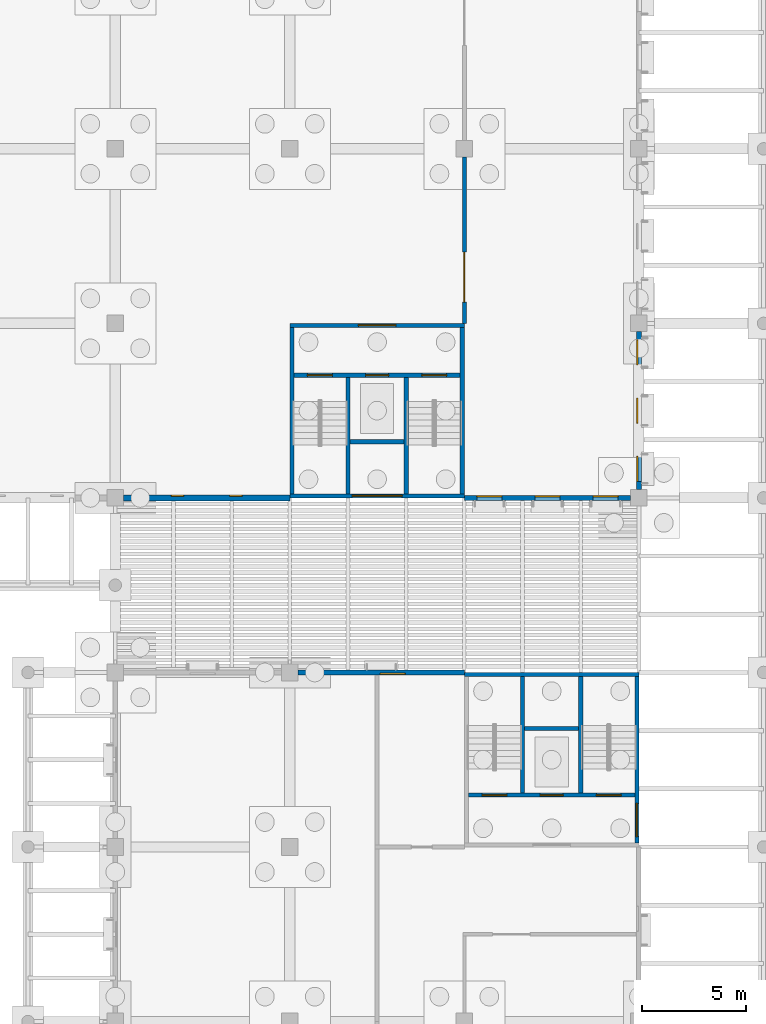
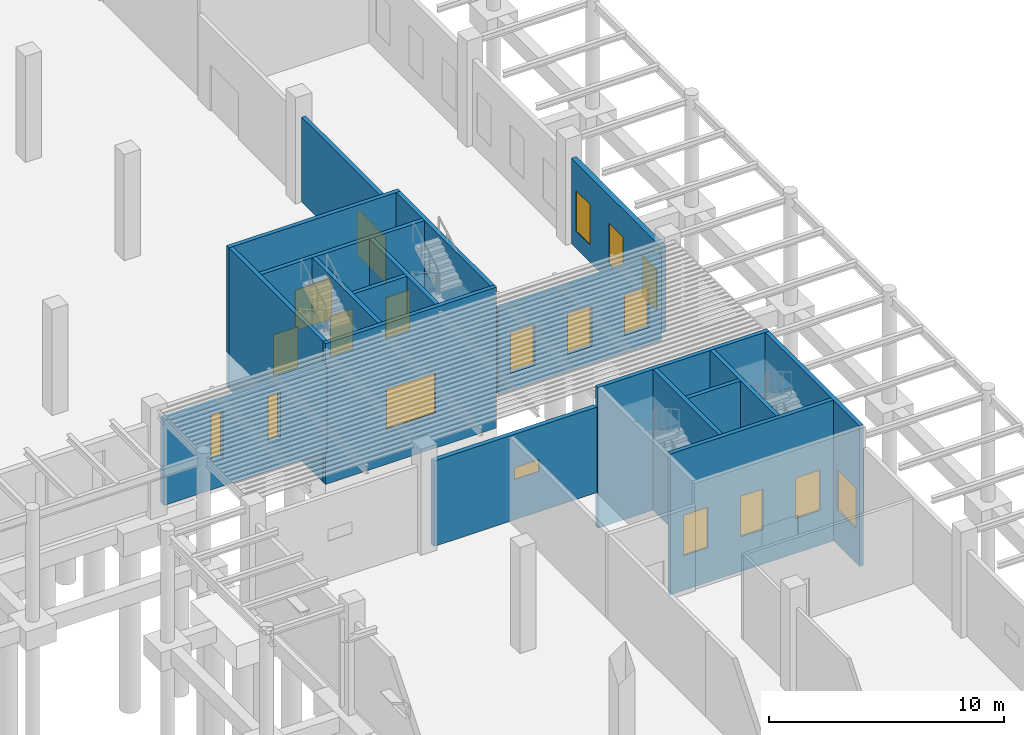
# One storey, part 41 of 82: 19 walls, 10 doors, 9 windows, 19 openings.
"""IFC4 building model written with IfcOpenShell, lengths in metres."""

import ifcopenshell
import ifcopenshell.guid

model = None  # the IFC model being written
_history = None  # IfcOwnerHistory: only IFC2X3 demands one
_inside = {}  # id of a spatial element -> (the spatial element, [elements in it])
_under = {}  # id of a project, library or spatial element -> (it, [spatial elements below it])
_declared = {}  # id of a project -> (the project, [libraries it declares])
_typed = {}  # id of a type object -> (the type object, [elements of that type])
_made_of = {}  # id of a material, layer set ... -> (it, [elements and type objects made of it])


def new_model(schema):
    """Start an empty IFC model of exactly this schema.

    Asked for "IFC4X3", IfcOpenShell would pick the latest addendum, in which some entities
    have other attributes; the version numbers below select the first issue.
    IFC2X3 requires an IfcOwnerHistory on every rooted entity: one is made here for all.
    """
    global model, _history
    if schema == "IFC4X3":
        model = ifcopenshell.file(schema_version=(4, 3, 0, 0))
    else:
        model = ifcopenshell.file(schema=schema)
    _inside.clear()
    _under.clear()
    _declared.clear()
    _typed.clear()
    _made_of.clear()
    _history = None
    if model.schema == "IFC2X3":
        org = make("IfcOrganization", Name="unknown")
        user = make(
            "IfcPersonAndOrganization",
            ThePerson=make("IfcPerson", FamilyName="unknown"),
            TheOrganization=org,
        )
        app = make(
            "IfcApplication",
            ApplicationDeveloper=org,
            Version="unknown",
            ApplicationFullName="unknown",
            ApplicationIdentifier="unknown",
        )
        _history = make(
            "IfcOwnerHistory",
            OwningUser=user,
            OwningApplication=app,
            ChangeAction="ADDED",
            CreationDate=0,
        )
    return model


def make(cls, **values):
    """One entity of the class cls with the attributes given. An attribute that is None is left unset."""
    return model.create_entity(
        cls, **{name: value for name, value in values.items() if value is not None}
    )


def rooted(cls, **values):
    """An entity with a GlobalId (a new one), such as an element, a storey or a relation."""
    return make(cls, GlobalId=ifcopenshell.guid.new(), OwnerHistory=_history, **values)


def si_unit(unit_type, name, prefix=None):
    """IfcSIUnit, for example si_unit("LENGTHUNIT", "METRE", prefix="MILLI")."""
    return make("IfcSIUnit", UnitType=unit_type, Prefix=prefix, Name=name)


def assignment(units):
    """IfcUnitAssignment: the units of a project."""
    return None if units is None else make("IfcUnitAssignment", Units=units)


def point(xyz):
    """IfcCartesianPoint."""
    return None if xyz is None else make("IfcCartesianPoint", Coordinates=xyz)


def direction(xyz):
    """IfcDirection."""
    return None if xyz is None else make("IfcDirection", DirectionRatios=xyz)


def frame(location, z_axis=None, x_axis=None):
    """IfcAxis2Placement3D, a coordinate frame: its origin and axes. An axis left out is left unset."""
    return make(
        "IfcAxis2Placement3D",
        Location=point(location),
        Axis=direction(z_axis),
        RefDirection=direction(x_axis),
    )


def frame_2d(location, x_axis=None):
    """IfcAxis2Placement2D, a coordinate frame in the plane: its origin and x axis."""
    return make(
        "IfcAxis2Placement2D", Location=point(location), RefDirection=direction(x_axis)
    )


def origin():
    """The frame at (0, 0, 0) with its axes left unset."""
    return frame((0.0, 0.0, 0.0))


def place(relative_to, where):
    """IfcLocalPlacement: puts the frame where relative to a parent placement (None: the world)."""
    return make(
        "IfcLocalPlacement", PlacementRelTo=relative_to, RelativePlacement=where
    )


def context(
    kind, dimensions, precision=None, world=None, true_north=None, identifier=None
):
    """IfcGeometricRepresentationContext, for example the 3D "Model" context."""
    return make(
        "IfcGeometricRepresentationContext",
        ContextIdentifier=identifier,
        ContextType=kind,
        CoordinateSpaceDimension=dimensions,
        Precision=precision,
        WorldCoordinateSystem=world,
        TrueNorth=true_north,
    )


def subcontext(parent, identifier, kind, view, scale=None):
    """IfcGeometricRepresentationSubContext, for example "Body" below "Model"."""
    return make(
        "IfcGeometricRepresentationSubContext",
        ContextIdentifier=identifier,
        ContextType=kind,
        ParentContext=parent,
        TargetScale=scale,
        TargetView=view,
    )


def project(units=None, contexts=None):
    """IfcProject with its units and contexts."""
    return rooted(
        "IfcProject",
        Name="project",
        RepresentationContexts=contexts,
        UnitsInContext=assignment(units),
    )


def spatial(cls, under=None, at=None, **own):
    """A site, building, storey or space (cls), placed at a placement, below another one or the project."""
    s = rooted(cls, ObjectPlacement=at, **own)
    if under is not None:
        _under.setdefault(under.id(), (under, []))[1].append(s)
    return s


def profile(cls, at=None, kind="AREA", **sizes):
    """A parametric profile (cls). Its sizes go by their IFC names, for example OverallWidth=200.0."""
    return make(cls, ProfileType=kind, Position=at, **sizes)


def rectangle(**sizes):
    """IfcRectangleProfileDef."""
    return profile("IfcRectangleProfileDef", **sizes)


def extrude(swept, where, along, depth):
    """IfcExtrudedAreaSolid: the profile swept, set in the frame where, extruded along a direction by depth."""
    return make(
        "IfcExtrudedAreaSolid",
        SweptArea=swept,
        Position=where,
        ExtrudedDirection=direction(along),
        Depth=depth,
    )


def shape(context_of_items, identifier, shape_type, items):
    """IfcShapeRepresentation: the items that make up one representation, for example the "Body"."""
    return make(
        "IfcShapeRepresentation",
        ContextOfItems=context_of_items,
        RepresentationIdentifier=identifier,
        RepresentationType=shape_type,
        Items=items,
    )


def material(Name=None, Category=None):
    """IfcMaterial."""
    return make("IfcMaterial", Name=Name, Category=Category)


def layer(
    of_material, thickness, ventilated=None, Name=None, Category=None, Priority=None
):
    """IfcMaterialLayer: one layer of a wall or slab, of a material (None: an air gap)."""
    return make(
        "IfcMaterialLayer",
        Material=of_material,
        LayerThickness=thickness,
        IsVentilated=ventilated,
        Name=Name,
        Category=Category,
        Priority=Priority,
    )


def layer_set(layers, Name=None):
    """IfcMaterialLayerSet."""
    return make("IfcMaterialLayerSet", MaterialLayers=layers, LayerSetName=Name)


def made_of(thing, what):
    """Note that an element or type object is made of a material, layer set ...; save() writes the relation."""
    if what is not None:
        _made_of.setdefault(what.id(), (what, []))[1].append(thing)
    return thing


def type_object(cls, material=None, **own):
    """A type object (cls), such as IfcWallType, which elements share."""
    return made_of(rooted(cls, **own), material)


def element(
    cls,
    number,
    at=None,
    inside=None,
    cuts=None,
    type_object=None,
    material=None,
    context=None,
    identifier="Body",
    shape_type=None,
    held_by="IfcProductDefinitionShape",
    body=None,
    shapes=None,
    **own,
):
    """One element of the class cls, such as IfcWall. Its Tag is "e" and its number.

    at: its placement. inside: the storey or other place that contains it. cuts: it is an
    opening in that element (IfcRelVoidsElement). A single representation is given by context,
    identifier, shape_type and body (its items); several are given by shapes. held_by: the class
    of the entity that holds the representations. save() writes the other relations.
    """
    e = rooted(cls, Tag="e%d" % number, ObjectPlacement=at, **own)
    if body is not None:
        shapes = [shape(context, identifier, shape_type, body)]
    if shapes is not None:
        e.Representation = make(held_by, Representations=shapes)
    if inside is not None:
        _inside.setdefault(inside.id(), (inside, []))[1].append(e)
    if cuts is not None:
        rooted(
            "IfcRelVoidsElement", RelatingBuildingElement=cuts, RelatedOpeningElement=e
        )
    if type_object is not None:
        _typed.setdefault(type_object.id(), (type_object, []))[1].append(e)
    return made_of(e, material)


def fill(opening, filler):
    """IfcRelFillsElement: the door or window that sits in an opening."""
    return rooted(
        "IfcRelFillsElement",
        RelatingOpeningElement=opening,
        RelatedBuildingElement=filler,
    )


def aggregate(whole, parts):
    """IfcRelAggregates: a whole, such as a stair, and the parts it consists of."""
    return rooted("IfcRelAggregates", RelatingObject=whole, RelatedObjects=parts)


def save(model, path):
    """Write the relations noted so far, then the file.

    IfcRelAggregates (storeys below a building ...), IfcRelContainedInSpatialStructure (elements
    in a storey), IfcRelDefinesByType, IfcRelAssociatesMaterial and IfcRelDeclares: one each for
    every whole, place, type object, material and project.
    """
    for whole, parts in _under.values():
        aggregate(whole, parts)
    for where, things in _inside.values():
        rooted(
            "IfcRelContainedInSpatialStructure",
            RelatedElements=things,
            RelatingStructure=where,
        )
    for kind, things in _typed.values():
        rooted("IfcRelDefinesByType", RelatedObjects=things, RelatingType=kind)
    for what, things in _made_of.values():
        rooted("IfcRelAssociatesMaterial", RelatedObjects=things, RelatingMaterial=what)
    for by, libraries in _declared.values():
        rooted("IfcRelDeclares", RelatingContext=by, RelatedDefinitions=libraries)
    model.write(path)


model = new_model("IFC4")

# Units and contexts
model_context = context("Model", 3, precision=1e-05, world=origin(), true_north=direction((0.0, 1.0)))
body_context = subcontext(model_context, "Body", "Model", "MODEL_VIEW")
ifc_project = project(units=[si_unit("LENGTHUNIT", "METRE"), si_unit("AREAUNIT", "SQUARE_METRE"), si_unit("VOLUMEUNIT", "CUBIC_METRE"), si_unit("PLANEANGLEUNIT", "RADIAN"), si_unit("MASSUNIT", "GRAM", prefix="KILO")], contexts=[model_context])

# Site, building, storey
site_placement = place(None, origin())
site = spatial("IfcSite", under=ifc_project, at=site_placement, CompositionType="ELEMENT")
building_placement = place(site_placement, origin())
building = spatial("IfcBuilding", under=site, at=building_placement, Name="Almond Square Museum", CompositionType="ELEMENT")
storey_placement = place(building_placement, origin())
storey = spatial("IfcBuildingStorey", under=building, at=storey_placement, Name="L00", CompositionType="ELEMENT", Elevation=0.0)

# Wall, openings, windows
ifc_material_1 = material(Name="Concrete C30/37", Category="concrete")
ifc_layer_1 = layer(ifc_material_1, 0.300048828125)
ifc_layer_set_1 = layer_set([ifc_layer_1], Name="Concrete C30/37")
wall_type_1 = type_object("IfcWallType", Name="Cast concrete wall 300 C30/37 behind louvre skin", PredefinedType="SOLIDWALL", material=ifc_layer_set_1)
wall_1_placement = place(storey_placement, frame((132.39990234375, 50.39990234375, 0.0), z_axis=(0.0, 0.0, 1.0), x_axis=(1.0, 0.0, 0.0)))
wall_1 = element("IfcWall", 1, at=wall_1_placement, inside=storey, type_object=wall_type_1, Name="External wall W1 V1 L00 S03", PredefinedType="SOLIDWALL", context=body_context, shape_type="SweptSolid", body=[
    extrude(rectangle(XDim=8.0, YDim=0.300048828125, at=frame_2d((4.0, 0.0))), origin(), (0.0, 0.0, 1.0), 4.43994140625),
])
opening_1_placement = place(wall_1_placement, frame((2.300048828125, 0.0, 1.5)))
opening_1 = element("IfcOpeningElement", 2, at=opening_1_placement, cuts=wall_1, Name="Opening W0065", PredefinedType="OPENING", context=body_context, shape_type="SweptSolid", body=[
    extrude(rectangle(XDim=0.60009765625, YDim=2.39990234375, at=frame_2d((0.300048828125, 1.199951171875))), frame((0.0, 0.159912109375, 0.0), z_axis=(0.0, -1.0, 0.0), x_axis=(1.0, 0.0, 0.0)), (0.0, 0.0, 1.0), 0.320068359375),
])
opening_2_placement = place(wall_1_placement, frame((5.10009765625, 0.0, 1.5)))
opening_2 = element("IfcOpeningElement", 3, at=opening_2_placement, cuts=wall_1, Name="Opening W0066", PredefinedType="OPENING", context=body_context, shape_type="SweptSolid", body=[
    extrude(rectangle(XDim=0.60009765625, YDim=2.39990234375, at=frame_2d((0.300048828125, 1.199951171875))), frame((0.0, 0.159912109375, 0.0), z_axis=(0.0, -1.0, 0.0), x_axis=(1.0, 0.0, 0.0)), (0.0, 0.0, 1.0), 0.320068359375),
])
ifc_material_2 = material(Name="Anodised aluminium louvre and laminated glass", Category="aluminium")
window_type_1 = type_object("IfcWindowType", Name="Slot window with storm louvre", PartitioningType="SINGLE_PANEL", PredefinedType="WINDOW", material=ifc_material_2)
window_1_placement = place(opening_1_placement, origin())
window_1 = element("IfcWindow", 4, at=window_1_placement, inside=storey, type_object=window_type_1, Name="Slot window with storm louvre W0065", OverallHeight=2.39990234375, OverallWidth=0.60009765625, PartitioningType="SINGLE_PANEL", PredefinedType="WINDOW", context=body_context, shape_type="SweptSolid", body=[
    extrude(rectangle(XDim=0.60009765625, YDim=2.39990234375, at=frame_2d((0.300048828125, 1.199951171875))), frame((0.0, 0.130126953125, 0.0), z_axis=(0.0, -1.0, 0.0), x_axis=(1.0, 0.0, 0.0)), (0.0, 0.0, 1.0), 0.06005859375),
])
fill(opening_1, window_1)
window_2_placement = place(opening_2_placement, origin())
window_2 = element("IfcWindow", 5, at=window_2_placement, inside=storey, type_object=window_type_1, Name="Slot window with storm louvre W0066", OverallHeight=2.39990234375, OverallWidth=0.60009765625, PartitioningType="SINGLE_PANEL", PredefinedType="WINDOW", context=body_context, shape_type="SweptSolid", body=[
    extrude(rectangle(XDim=0.60009765625, YDim=2.39990234375, at=frame_2d((0.300048828125, 1.199951171875))), frame((0.0, 0.130126953125, 0.0), z_axis=(0.0, -1.0, 0.0), x_axis=(1.0, 0.0, 0.0)), (0.0, 0.0, 1.0), 0.06005859375),
])
fill(opening_2, window_2)

# Wall, opening, door
ifc_material_3 = material(Name="Painted gypsum board on steel stud", Category="steel")
ifc_layer_2 = layer(ifc_material_3, 0.199951171875)
ifc_layer_set_2 = layer_set([ifc_layer_2], Name="Painted gypsum board on steel stud")
wall_type_2 = type_object("IfcWallType", Name="Gallery wall 200 painted board on stud", PredefinedType="PARTITIONING", material=ifc_layer_set_2)
wall_2_placement = place(storey_placement, frame((148.800048828125, 58.800048828125, 0.0), z_axis=(0.0, 0.0, 1.0), x_axis=(0.0, 1.0, 0.0)))
wall_2 = element("IfcWall", 6, at=wall_2_placement, inside=storey, type_object=wall_type_2, Name="L00 partition 36", PredefinedType="PARTITIONING", context=body_context, shape_type="SweptSolid", body=[
    extrude(rectangle(XDim=8.0, YDim=0.199951171875, at=frame_2d((4.0, 0.0))), origin(), (0.0, 0.0, 1.0), 4.39990234375),
])
opening_3_placement = place(wall_2_placement, frame((1.02490234375, 0.0, 0.0)))
opening_3 = element("IfcOpeningElement", 7, at=opening_3_placement, cuts=wall_2, Name="Opening D0151", PredefinedType="OPENING", context=body_context, shape_type="SweptSolid", body=[
    extrude(rectangle(XDim=2.39990234375, YDim=2.39990234375, at=frame_2d((1.199951171875, 1.199951171875))), frame((0.0, 0.10986328125, 0.0), z_axis=(0.0, -1.0, 0.0), x_axis=(1.0, 0.0, 0.0)), (0.0, 0.0, 1.0), 0.219970703125),
])
ifc_material_4 = material(Name="Timber", Category="wood")
door_type_1 = type_object("IfcDoorType", Name="Gallery door 2400 x 2400 timber double", OperationType="NOTDEFINED", PredefinedType="DOOR", material=ifc_material_4)
door_1_placement = place(opening_3_placement, origin())
door_1 = element("IfcDoor", 8, at=door_1_placement, inside=storey, type_object=door_type_1, Name="L00 door Orientation Gallery to Print Gallery 2", OperationType="DOUBLE_DOOR_SINGLE_SWING", OverallHeight=2.39990234375, OverallWidth=2.39990234375, PredefinedType="DOOR", context=body_context, shape_type="SweptSolid", body=[
    extrude(rectangle(XDim=2.39990234375, YDim=2.39990234375, at=frame_2d((1.199951171875, 1.199951171875))), frame((0.0, 0.02490234375, 0.0), z_axis=(0.0, -1.0, 0.0), x_axis=(1.0, 0.0, 0.0)), (0.0, 0.0, 1.0), 0.050048828125),
])
fill(opening_3, door_1)

# Wall, openings, windows
ifc_material_5 = material(Name="Precast concrete C40/50", Category="concrete")
ifc_layer_3 = layer(ifc_material_5, 0.25)
ifc_layer_set_3 = layer_set([ifc_layer_3], Name="Precast concrete C40/50")
wall_type_3 = type_object("IfcWallType", Name="Precast concrete panel wall 250 with coral limestone piers", PredefinedType="SOLIDWALL", material=ifc_layer_set_3)
wall_3_placement = place(storey_placement, frame((148.800048828125, 50.39990234375, 0.0), z_axis=(0.0, 0.0, 1.0), x_axis=(1.0, 0.0, 0.0)))
wall_3 = element("IfcWall", 9, at=wall_3_placement, inside=storey, type_object=wall_type_3, Name="External wall W2 V4E L00 S01", PredefinedType="SOLIDWALL", context=body_context, shape_type="SweptSolid", body=[
    extrude(rectangle(XDim=8.0, YDim=0.25, at=frame_2d((4.0, 0.0))), origin(), (0.0, 0.0, 1.0), 4.43994140625),
])
opening_4_placement = place(wall_3_placement, frame((0.60009765625, 0.0, 0.89990234375)))
opening_4 = element("IfcOpeningElement", 10, at=opening_4_placement, cuts=wall_3, Name="Opening W0067", PredefinedType="OPENING", context=body_context, shape_type="SweptSolid", body=[
    extrude(rectangle(XDim=1.199951171875, YDim=2.10009765625, at=frame_2d((0.60009765625, 1.050048828125))), frame((0.0, 0.135009765625, 0.0), z_axis=(0.0, -1.0, 0.0), x_axis=(1.0, 0.0, 0.0)), (0.0, 0.0, 1.0), 0.27001953125),
])
opening_5_placement = place(wall_3_placement, frame((3.39990234375, 0.0, 0.89990234375)))
opening_5 = element("IfcOpeningElement", 11, at=opening_5_placement, cuts=wall_3, Name="Opening W0068", PredefinedType="OPENING", context=body_context, shape_type="SweptSolid", body=[
    extrude(rectangle(XDim=1.199951171875, YDim=2.10009765625, at=frame_2d((0.60009765625, 1.050048828125))), frame((0.0, 0.135009765625, 0.0), z_axis=(0.0, -1.0, 0.0), x_axis=(1.0, 0.0, 0.0)), (0.0, 0.0, 1.0), 0.27001953125),
])
opening_6_placement = place(wall_3_placement, frame((6.199951171875, 0.0, 0.89990234375)))
opening_6 = element("IfcOpeningElement", 12, at=opening_6_placement, cuts=wall_3, Name="Opening W0069", PredefinedType="OPENING", context=body_context, shape_type="SweptSolid", body=[
    extrude(rectangle(XDim=1.199951171875, YDim=2.10009765625, at=frame_2d((0.60009765625, 1.050048828125))), frame((0.0, 0.135009765625, 0.0), z_axis=(0.0, -1.0, 0.0), x_axis=(1.0, 0.0, 0.0)), (0.0, 0.0, 1.0), 0.27001953125),
])
ifc_material_6 = material(Name="Anodised aluminium louvre and laminated glass", Category="aluminium")
window_type_2 = type_object("IfcWindowType", Name="Louvred pier window", PartitioningType="SINGLE_PANEL", PredefinedType="WINDOW", material=ifc_material_6)
window_3_placement = place(opening_4_placement, origin())
window_3 = element("IfcWindow", 13, at=window_3_placement, inside=storey, type_object=window_type_2, Name="Louvred pier window W0067", OverallHeight=2.10009765625, OverallWidth=1.199951171875, PartitioningType="SINGLE_PANEL", PredefinedType="WINDOW", context=body_context, shape_type="SweptSolid", body=[
    extrude(rectangle(XDim=1.199951171875, YDim=2.10009765625, at=frame_2d((0.60009765625, 1.050048828125))), frame((0.0, 0.10498046875, 0.0), z_axis=(0.0, -1.0, 0.0), x_axis=(1.0, 0.0, 0.0)), (0.0, 0.0, 1.0), 0.06005859375),
])
fill(opening_4, window_3)
window_4_placement = place(opening_5_placement, origin())
window_4 = element("IfcWindow", 14, at=window_4_placement, inside=storey, type_object=window_type_2, Name="Louvred pier window W0068", OverallHeight=2.10009765625, OverallWidth=1.199951171875, PartitioningType="SINGLE_PANEL", PredefinedType="WINDOW", context=body_context, shape_type="SweptSolid", body=[
    extrude(rectangle(XDim=1.199951171875, YDim=2.10009765625, at=frame_2d((0.60009765625, 1.050048828125))), frame((0.0, 0.10498046875, 0.0), z_axis=(0.0, -1.0, 0.0), x_axis=(1.0, 0.0, 0.0)), (0.0, 0.0, 1.0), 0.06005859375),
])
fill(opening_5, window_4)
window_5_placement = place(opening_6_placement, origin())
window_5 = element("IfcWindow", 15, at=window_5_placement, inside=storey, type_object=window_type_2, Name="Louvred pier window W0069", OverallHeight=2.10009765625, OverallWidth=1.199951171875, PartitioningType="SINGLE_PANEL", PredefinedType="WINDOW", context=body_context, shape_type="SweptSolid", body=[
    extrude(rectangle(XDim=1.199951171875, YDim=2.10009765625, at=frame_2d((0.60009765625, 1.050048828125))), frame((0.0, 0.10498046875, 0.0), z_axis=(0.0, -1.0, 0.0), x_axis=(1.0, 0.0, 0.0)), (0.0, 0.0, 1.0), 0.06005859375),
])
fill(opening_6, window_5)

wall_4_placement = place(storey_placement, frame((157.199951171875, 50.800048828125, 0.0), z_axis=(0.0, 0.0, 1.0), x_axis=(0.0, 1.0, 0.0)))
wall_4 = element("IfcWall", 16, at=wall_4_placement, inside=storey, type_object=wall_type_3, Name="External wall W2 V4E L00 E01", PredefinedType="SOLIDWALL", context=body_context, shape_type="SweptSolid", body=[
    extrude(rectangle(XDim=7.599853515625, YDim=0.25, at=frame_2d((3.7998046875, 0.0))), origin(), (0.0, 0.0, 1.0), 4.43994140625),
])
opening_7_placement = place(wall_4_placement, frame((0.39990234375, 0.0, 0.89990234375)))
opening_7 = element("IfcOpeningElement", 17, at=opening_7_placement, cuts=wall_4, Name="Opening W0070", PredefinedType="OPENING", context=body_context, shape_type="SweptSolid", body=[
    extrude(rectangle(XDim=1.199951171875, YDim=2.10009765625, at=frame_2d((0.60009765625, 1.050048828125))), frame((0.0, 0.135009765625, 0.0), z_axis=(0.0, -1.0, 0.0), x_axis=(1.0, 0.0, 0.0)), (0.0, 0.0, 1.0), 0.27001953125),
])
opening_8_placement = place(wall_4_placement, frame((3.199951171875, 0.0, 0.89990234375)))
opening_8 = element("IfcOpeningElement", 18, at=opening_8_placement, cuts=wall_4, Name="Opening W0071", PredefinedType="OPENING", context=body_context, shape_type="SweptSolid", body=[
    extrude(rectangle(XDim=1.199951171875, YDim=2.10009765625, at=frame_2d((0.60009765625, 1.050048828125))), frame((0.0, 0.135009765625, 0.0), z_axis=(0.0, -1.0, 0.0), x_axis=(1.0, 0.0, 0.0)), (0.0, 0.0, 1.0), 0.27001953125),
])
opening_9_placement = place(wall_4_placement, frame((6.0, 0.0, 0.89990234375)))
opening_9 = element("IfcOpeningElement", 19, at=opening_9_placement, cuts=wall_4, Name="Opening W0072", PredefinedType="OPENING", context=body_context, shape_type="SweptSolid", body=[
    extrude(rectangle(XDim=1.199951171875, YDim=2.10009765625, at=frame_2d((0.60009765625, 1.050048828125))), frame((0.0, 0.135009765625, 0.0), z_axis=(0.0, -1.0, 0.0), x_axis=(1.0, 0.0, 0.0)), (0.0, 0.0, 1.0), 0.27001953125),
])
window_6_placement = place(opening_7_placement, origin())
window_6 = element("IfcWindow", 20, at=window_6_placement, inside=storey, type_object=window_type_2, Name="Louvred pier window W0070", OverallHeight=2.10009765625, OverallWidth=1.199951171875, PartitioningType="SINGLE_PANEL", PredefinedType="WINDOW", context=body_context, shape_type="SweptSolid", body=[
    extrude(rectangle(XDim=1.199951171875, YDim=2.10009765625, at=frame_2d((0.60009765625, 1.050048828125))), frame((0.0, 0.10498046875, 0.0), z_axis=(0.0, -1.0, 0.0), x_axis=(1.0, 0.0, 0.0)), (0.0, 0.0, 1.0), 0.06005859375),
])
fill(opening_7, window_6)
window_7_placement = place(opening_8_placement, origin())
window_7 = element("IfcWindow", 21, at=window_7_placement, inside=storey, type_object=window_type_2, Name="Louvred pier window W0071", OverallHeight=2.10009765625, OverallWidth=1.199951171875, PartitioningType="SINGLE_PANEL", PredefinedType="WINDOW", context=body_context, shape_type="SweptSolid", body=[
    extrude(rectangle(XDim=1.199951171875, YDim=2.10009765625, at=frame_2d((0.60009765625, 1.050048828125))), frame((0.0, 0.10498046875, 0.0), z_axis=(0.0, -1.0, 0.0), x_axis=(1.0, 0.0, 0.0)), (0.0, 0.0, 1.0), 0.06005859375),
])
fill(opening_8, window_7)
window_8_placement = place(opening_9_placement, origin())
window_8 = element("IfcWindow", 22, at=window_8_placement, inside=storey, type_object=window_type_2, Name="Louvred pier window W0072", OverallHeight=2.10009765625, OverallWidth=1.199951171875, PartitioningType="SINGLE_PANEL", PredefinedType="WINDOW", context=body_context, shape_type="SweptSolid", body=[
    extrude(rectangle(XDim=1.199951171875, YDim=2.10009765625, at=frame_2d((0.60009765625, 1.050048828125))), frame((0.0, 0.10498046875, 0.0), z_axis=(0.0, -1.0, 0.0), x_axis=(1.0, 0.0, 0.0)), (0.0, 0.0, 1.0), 0.06005859375),
])
fill(opening_9, window_8)

# Wall, opening, door
ifc_material_7 = material(Name="Concrete C40/50", Category="concrete")
ifc_layer_4 = layer(ifc_material_7, 0.199951171875)
ifc_layer_set_4 = layer_set([ifc_layer_4], Name="Concrete C40/50")
wall_type_4 = type_object("IfcWallType", Name="RC shear wall 200 C40/50", PredefinedType="SHEAR", material=ifc_layer_set_4)
wall_5_placement = place(storey_placement, frame((148.800048828125, 50.5, -1.800048828125), z_axis=(0.0, 0.0, 1.0), x_axis=(-1.0, 0.0, 0.0)))
wall_5 = element("IfcWall", 23, at=wall_5_placement, inside=storey, type_object=wall_type_4, Name="Core H2 south wall L00", PredefinedType="SHEAR", context=body_context, shape_type="SweptSolid", body=[
    extrude(rectangle(XDim=8.400146484375, YDim=0.199951171875, at=frame_2d((4.2001953125, 0.0))), origin(), (0.0, 0.0, 1.0), 7.300048828125),
])
opening_10_placement = place(wall_5_placement, frame((2.998779296875, 0.0, 1.800048828125)))
opening_10 = element("IfcOpeningElement", 24, at=opening_10_placement, cuts=wall_5, Name="Opening D019", PredefinedType="OPENING", context=body_context, shape_type="SweptSolid", body=[
    extrude(rectangle(XDim=2.39990234375, YDim=2.10009765625, at=frame_2d((1.199951171875, 1.050048828125))), frame((0.0, 0.10986328125, 0.0), z_axis=(0.0, -1.0, 0.0), x_axis=(1.0, 0.0, 0.0)), (0.0, 0.0, 1.0), 0.219970703125),
])
ifc_material_8 = material(Name="Steel frame and steel leaf", Category="steel")
door_type_2 = type_object("IfcDoorType", Name="Stair exit door pair 2400 x 2100", OperationType="NOTDEFINED", PredefinedType="DOOR", material=ifc_material_8)
door_2_placement = place(opening_10_placement, origin())
door_2 = element("IfcDoor", 25, at=door_2_placement, inside=storey, type_object=door_type_2, Name="Stair Exit H2 door D019", OperationType="DOUBLE_DOOR_SINGLE_SWING", OverallHeight=2.10009765625, OverallWidth=2.39990234375, PredefinedType="DOOR", context=body_context, shape_type="SweptSolid", body=[
    extrude(rectangle(XDim=2.39990234375, YDim=2.10009765625, at=frame_2d((1.199951171875, 1.050048828125))), frame((0.0, 0.02490234375, 0.0), z_axis=(0.0, -1.0, 0.0), x_axis=(1.0, 0.0, 0.0)), (0.0, 0.0, 1.0), 0.050048828125),
])
fill(opening_10, door_2)

wall_6_placement = place(storey_placement, frame((140.39990234375, 58.699951171875, -1.800048828125), z_axis=(0.0, 0.0, 1.0), x_axis=(1.0, 0.0, 0.0)))
wall_6 = element("IfcWall", 26, at=wall_6_placement, inside=storey, type_object=wall_type_4, Name="Core H2 north wall L00", PredefinedType="SHEAR", context=body_context, shape_type="SweptSolid", body=[
    extrude(rectangle(XDim=8.400146484375, YDim=0.199951171875, at=frame_2d((4.2001953125, 0.0))), origin(), (0.0, 0.0, 1.0), 7.300048828125),
])
opening_11_placement = place(wall_6_placement, frame((3.300048828125, 0.0, 1.800048828125)))
opening_11 = element("IfcOpeningElement", 27, at=opening_11_placement, cuts=wall_6, Name="Opening D0160", PredefinedType="OPENING", context=body_context, shape_type="SweptSolid", body=[
    extrude(rectangle(XDim=1.800048828125, YDim=2.10009765625, at=frame_2d((0.89990234375, 1.050048828125))), frame((0.0, 0.10986328125, 0.0), z_axis=(0.0, -1.0, 0.0), x_axis=(1.0, 0.0, 0.0)), (0.0, 0.0, 1.0), 0.219970703125),
])
ifc_material_9 = material(Name="Steel", Category="steel")
door_type_3 = type_object("IfcDoorType", Name="Fire door 1800 x 2100 FD60 double", OperationType="NOTDEFINED", PredefinedType="DOOR", material=ifc_material_9)
door_3_placement = place(opening_11_placement, origin())
door_3 = element("IfcDoor", 28, at=door_3_placement, inside=storey, type_object=door_type_3, Name="L00 stair core H2 lobby door", OperationType="DOUBLE_DOOR_SINGLE_SWING", OverallHeight=2.10009765625, OverallWidth=1.800048828125, PredefinedType="DOOR", context=body_context, shape_type="SweptSolid", body=[
    extrude(rectangle(XDim=1.800048828125, YDim=2.10009765625, at=frame_2d((0.89990234375, 1.050048828125))), frame((0.0, 0.02490234375, 0.0), z_axis=(0.0, -1.0, 0.0), x_axis=(1.0, 0.0, 0.0)), (0.0, 0.0, 1.0), 0.050048828125),
])
fill(opening_11, door_3)

# Walls
for number, where, z_axis, x_axis, name in (
    (29, (140.5, 50.60009765625, -1.800048828125), (0.0, 0.0, 1.0), (0.0, 1.0, 0.0), "Core H2 west wall L00"),
    (30, (148.699951171875, 50.60009765625, -1.800048828125), (0.0, 0.0, 1.0), (0.0, 1.0, 0.0), "Core H2 east wall L00"),
):
    element("IfcWall", number, at=place(storey_placement, frame(where, z_axis=z_axis, x_axis=x_axis)), inside=storey, type_object=wall_type_4, Name=name, PredefinedType="SHEAR", context=body_context, shape_type="SweptSolid", body=[
        extrude(rectangle(XDim=8.0, YDim=0.199951171875, at=frame_2d((4.0, 0.0))), origin(), (0.0, 0.0, 1.0), 7.300048828125),
    ])

# Wall, openings, doors
wall_7_placement = place(storey_placement, frame((140.60009765625, 56.300048828125, -1.800048828125), z_axis=(0.0, 0.0, 1.0), x_axis=(1.0, 0.0, 0.0)))
wall_7 = element("IfcWall", 31, at=wall_7_placement, inside=storey, type_object=wall_type_4, Name="Core H2 lobby wall L00", PredefinedType="SHEAR", context=body_context, shape_type="SweptSolid", body=[
    extrude(rectangle(XDim=8.0, YDim=0.199951171875, at=frame_2d((4.0, 0.0))), origin(), (0.0, 0.0, 1.0), 7.300048828125),
])
opening_12_placement = place(wall_7_placement, frame((0.64990234375, 0.0, 1.800048828125)))
opening_12 = element("IfcOpeningElement", 32, at=opening_12_placement, cuts=wall_7, Name="Opening D0161", PredefinedType="OPENING", context=body_context, shape_type="SweptSolid", body=[
    extrude(rectangle(XDim=1.199951171875, YDim=2.10009765625, at=frame_2d((0.60009765625, 1.050048828125))), frame((0.0, 0.10986328125, 0.0), z_axis=(0.0, -1.0, 0.0), x_axis=(1.0, 0.0, 0.0)), (0.0, 0.0, 1.0), 0.219970703125),
])
opening_13_placement = place(wall_7_placement, frame((6.14990234375, 0.0, 1.800048828125)))
opening_13 = element("IfcOpeningElement", 33, at=opening_13_placement, cuts=wall_7, Name="Opening D0162", PredefinedType="OPENING", context=body_context, shape_type="SweptSolid", body=[
    extrude(rectangle(XDim=1.199951171875, YDim=2.10009765625, at=frame_2d((0.60009765625, 1.050048828125))), frame((0.0, 0.10986328125, 0.0), z_axis=(0.0, -1.0, 0.0), x_axis=(1.0, 0.0, 0.0)), (0.0, 0.0, 1.0), 0.219970703125),
])
opening_14_placement = place(wall_7_placement, frame((3.449951171875, 0.0, 1.800048828125)))
opening_14 = element("IfcOpeningElement", 34, at=opening_14_placement, cuts=wall_7, Name="Opening D0163", PredefinedType="OPENING", context=body_context, shape_type="SweptSolid", body=[
    extrude(rectangle(XDim=1.10009765625, YDim=2.10009765625, at=frame_2d((0.550048828125, 1.050048828125))), frame((0.0, 0.10986328125, 0.0), z_axis=(0.0, -1.0, 0.0), x_axis=(1.0, 0.0, 0.0)), (0.0, 0.0, 1.0), 0.219970703125),
])
ifc_material_10 = material(Name="Steel", Category="steel")
door_type_4 = type_object("IfcDoorType", Name="Fire door 1200 x 2100 FD120 stair", OperationType="NOTDEFINED", PredefinedType="DOOR", material=ifc_material_10)
door_4_placement = place(opening_12_placement, origin())
door_4 = element("IfcDoor", 35, at=door_4_placement, inside=storey, type_object=door_type_4, Name="L00 stair H2-1 door", OperationType="SINGLE_SWING_LEFT", OverallHeight=2.10009765625, OverallWidth=1.199951171875, PredefinedType="DOOR", context=body_context, shape_type="SweptSolid", body=[
    extrude(rectangle(XDim=1.199951171875, YDim=2.10009765625, at=frame_2d((0.60009765625, 1.050048828125))), frame((0.0, 0.02490234375, 0.0), z_axis=(0.0, -1.0, 0.0), x_axis=(1.0, 0.0, 0.0)), (0.0, 0.0, 1.0), 0.050048828125),
])
fill(opening_12, door_4)
door_5_placement = place(opening_13_placement, origin())
door_5 = element("IfcDoor", 36, at=door_5_placement, inside=storey, type_object=door_type_4, Name="L00 stair H2-2 door", OperationType="SINGLE_SWING_RIGHT", OverallHeight=2.10009765625, OverallWidth=1.199951171875, PredefinedType="DOOR", context=body_context, shape_type="SweptSolid", body=[
    extrude(rectangle(XDim=1.199951171875, YDim=2.10009765625, at=frame_2d((0.60009765625, 1.050048828125))), frame((0.0, 0.02490234375, 0.0), z_axis=(0.0, -1.0, 0.0), x_axis=(1.0, 0.0, 0.0)), (0.0, 0.0, 1.0), 0.050048828125),
])
fill(opening_13, door_5)
ifc_material_11 = material(Name="Stainless steel", Category="steel")
door_type_5 = type_object("IfcDoorType", Name="Lift landing door 1100 x 2100", OperationType="NOTDEFINED", PredefinedType="DOOR", material=ifc_material_11)
door_6_placement = place(opening_14_placement, origin())
door_6 = element("IfcDoor", 37, at=door_6_placement, inside=storey, type_object=door_type_5, Name="L00 lift PL-H2 landing door", OperationType="DOUBLE_DOOR_SLIDING", OverallHeight=2.10009765625, OverallWidth=1.10009765625, PredefinedType="DOOR", context=body_context, shape_type="SweptSolid", body=[
    extrude(rectangle(XDim=1.10009765625, YDim=2.10009765625, at=frame_2d((0.550048828125, 1.050048828125))), frame((0.0, 0.02490234375, 0.0), z_axis=(0.0, -1.0, 0.0), x_axis=(1.0, 0.0, 0.0)), (0.0, 0.0, 1.0), 0.050048828125),
])
fill(opening_14, door_6)

# Walls
for number, where, z_axis, x_axis, name in (
    (38, (143.199951171875, 50.60009765625, -1.800048828125), (0.0, 0.0, 1.0), (0.0, 1.0, 0.0), "Core H2 partition wall L00"),
    (39, (146.0, 50.60009765625, -1.800048828125), (0.0, 0.0, 1.0), (0.0, 1.0, 0.0), "Core H2 partition wall L00"),
):
    element("IfcWall", number, at=place(storey_placement, frame(where, z_axis=z_axis, x_axis=x_axis)), inside=storey, type_object=wall_type_4, Name=name, PredefinedType="SHEAR", context=body_context, shape_type="SweptSolid", body=[
        extrude(rectangle(XDim=5.599853515625, YDim=0.199951171875, at=frame_2d((2.7998046875, 0.0))), origin(), (0.0, 0.0, 1.0), 7.300048828125),
    ])
wall_8_placement = place(storey_placement, frame((143.300048828125, 53.10009765625, -1.800048828125), z_axis=(0.0, 0.0, 1.0), x_axis=(1.0, 0.0, 0.0)))
element("IfcWall", 40, at=wall_8_placement, inside=storey, type_object=wall_type_4, Name="Core H2 partition wall L00", PredefinedType="SHEAR", context=body_context, shape_type="SweptSolid", body=[
    extrude(rectangle(XDim=2.599853515625, YDim=0.199951171875, at=frame_2d((1.2998046875, 0.0))), origin(), (0.0, 0.0, 1.0), 7.300048828125),
])
wall_9_placement = place(storey_placement, frame((148.800048828125, 41.89990234375, -1.800048828125), z_axis=(0.0, 0.0, 1.0), x_axis=(1.0, 0.0, 0.0)))
element("IfcWall", 41, at=wall_9_placement, inside=storey, type_object=wall_type_4, Name="Core X1 north wall L00", PredefinedType="SHEAR", context=body_context, shape_type="SweptSolid", body=[
    extrude(rectangle(XDim=8.39990234375, YDim=0.199951171875, at=frame_2d((4.199951171875, 0.0))), origin(), (0.0, 0.0, 1.0), 7.300048828125),
])

# Wall, opening, door
wall_10_placement = place(storey_placement, frame((157.10009765625, 41.800048828125, -1.800048828125), z_axis=(0.0, 0.0, 1.0), x_axis=(0.0, -1.0, 0.0)))
wall_10 = element("IfcWall", 42, at=wall_10_placement, inside=storey, type_object=wall_type_4, Name="Core X1 east wall L00", PredefinedType="SHEAR", context=body_context, shape_type="SweptSolid", body=[
    extrude(rectangle(XDim=8.0, YDim=0.199951171875, at=frame_2d((4.0, 0.0))), origin(), (0.0, 0.0, 1.0), 7.300048828125),
])
opening_15_placement = place(wall_10_placement, frame((6.10009765625, 0.0, 1.800048828125)))
opening_15 = element("IfcOpeningElement", 43, at=opening_15_placement, cuts=wall_10, Name="Opening D034", PredefinedType="OPENING", context=body_context, shape_type="SweptSolid", body=[
    extrude(rectangle(XDim=1.60009765625, YDim=2.10009765625, at=frame_2d((0.800048828125, 1.050048828125))), frame((0.0, 0.10986328125, 0.0), z_axis=(0.0, -1.0, 0.0), x_axis=(1.0, 0.0, 0.0)), (0.0, 0.0, 1.0), 0.219970703125),
])
ifc_material_12 = material(Name="Steel frame and steel leaf", Category="steel")
door_type_6 = type_object("IfcDoorType", Name="Stair exit door pair 1600 x 2100", OperationType="NOTDEFINED", PredefinedType="DOOR", material=ifc_material_12)
door_7_placement = place(opening_15_placement, origin())
door_7 = element("IfcDoor", 44, at=door_7_placement, inside=storey, type_object=door_type_6, Name="Stair Exit X1 door D034", OperationType="DOUBLE_DOOR_SINGLE_SWING", OverallHeight=2.10009765625, OverallWidth=1.60009765625, PredefinedType="DOOR", context=body_context, shape_type="SweptSolid", body=[
    extrude(rectangle(XDim=1.60009765625, YDim=2.10009765625, at=frame_2d((0.800048828125, 1.050048828125))), frame((0.0, 0.02490234375, 0.0), z_axis=(0.0, -1.0, 0.0), x_axis=(1.0, 0.0, 0.0)), (0.0, 0.0, 1.0), 0.050048828125),
])
fill(opening_15, door_7)

# Wall, openings, doors
wall_11_placement = place(storey_placement, frame((149.0, 36.10009765625, -1.800048828125), z_axis=(0.0, 0.0, 1.0), x_axis=(1.0, 0.0, 0.0)))
wall_11 = element("IfcWall", 45, at=wall_11_placement, inside=storey, type_object=wall_type_4, Name="Core X1 lobby wall L00", PredefinedType="SHEAR", context=body_context, shape_type="SweptSolid", body=[
    extrude(rectangle(XDim=8.0, YDim=0.199951171875, at=frame_2d((4.0, 0.0))), origin(), (0.0, 0.0, 1.0), 7.300048828125),
])
opening_16_placement = place(wall_11_placement, frame((0.64990234375, 0.0, 1.800048828125)))
opening_16 = element("IfcOpeningElement", 46, at=opening_16_placement, cuts=wall_11, Name="Opening D0214", PredefinedType="OPENING", context=body_context, shape_type="SweptSolid", body=[
    extrude(rectangle(XDim=1.199951171875, YDim=2.10009765625, at=frame_2d((0.60009765625, 1.050048828125))), frame((0.0, 0.10986328125, 0.0), z_axis=(0.0, -1.0, 0.0), x_axis=(1.0, 0.0, 0.0)), (0.0, 0.0, 1.0), 0.219970703125),
])
opening_17_placement = place(wall_11_placement, frame((6.14990234375, 0.0, 1.800048828125)))
opening_17 = element("IfcOpeningElement", 47, at=opening_17_placement, cuts=wall_11, Name="Opening D0215", PredefinedType="OPENING", context=body_context, shape_type="SweptSolid", body=[
    extrude(rectangle(XDim=1.199951171875, YDim=2.10009765625, at=frame_2d((0.60009765625, 1.050048828125))), frame((0.0, 0.10986328125, 0.0), z_axis=(0.0, -1.0, 0.0), x_axis=(1.0, 0.0, 0.0)), (0.0, 0.0, 1.0), 0.219970703125),
])
opening_18_placement = place(wall_11_placement, frame((3.449951171875, 0.0, 1.800048828125)))
opening_18 = element("IfcOpeningElement", 48, at=opening_18_placement, cuts=wall_11, Name="Opening D0216", PredefinedType="OPENING", context=body_context, shape_type="SweptSolid", body=[
    extrude(rectangle(XDim=1.10009765625, YDim=2.10009765625, at=frame_2d((0.550048828125, 1.050048828125))), frame((0.0, 0.10986328125, 0.0), z_axis=(0.0, -1.0, 0.0), x_axis=(1.0, 0.0, 0.0)), (0.0, 0.0, 1.0), 0.219970703125),
])
door_8_placement = place(opening_16_placement, origin())
door_8 = element("IfcDoor", 49, at=door_8_placement, inside=storey, type_object=door_type_4, Name="L00 stair X1-1 door", OperationType="SINGLE_SWING_LEFT", OverallHeight=2.10009765625, OverallWidth=1.199951171875, PredefinedType="DOOR", context=body_context, shape_type="SweptSolid", body=[
    extrude(rectangle(XDim=1.199951171875, YDim=2.10009765625, at=frame_2d((0.60009765625, 1.050048828125))), frame((0.0, 0.02490234375, 0.0), z_axis=(0.0, -1.0, 0.0), x_axis=(1.0, 0.0, 0.0)), (0.0, 0.0, 1.0), 0.050048828125),
])
fill(opening_16, door_8)
door_9_placement = place(opening_17_placement, origin())
door_9 = element("IfcDoor", 50, at=door_9_placement, inside=storey, type_object=door_type_4, Name="L00 stair X1-2 door", OperationType="SINGLE_SWING_RIGHT", OverallHeight=2.10009765625, OverallWidth=1.199951171875, PredefinedType="DOOR", context=body_context, shape_type="SweptSolid", body=[
    extrude(rectangle(XDim=1.199951171875, YDim=2.10009765625, at=frame_2d((0.60009765625, 1.050048828125))), frame((0.0, 0.02490234375, 0.0), z_axis=(0.0, -1.0, 0.0), x_axis=(1.0, 0.0, 0.0)), (0.0, 0.0, 1.0), 0.050048828125),
])
fill(opening_17, door_9)
door_10_placement = place(opening_18_placement, origin())
door_10 = element("IfcDoor", 51, at=door_10_placement, inside=storey, type_object=door_type_5, Name="L00 lift PL-X1 landing door", OperationType="DOUBLE_DOOR_SLIDING", OverallHeight=2.10009765625, OverallWidth=1.10009765625, PredefinedType="DOOR", context=body_context, shape_type="SweptSolid", body=[
    extrude(rectangle(XDim=1.10009765625, YDim=2.10009765625, at=frame_2d((0.550048828125, 1.050048828125))), frame((0.0, 0.02490234375, 0.0), z_axis=(0.0, -1.0, 0.0), x_axis=(1.0, 0.0, 0.0)), (0.0, 0.0, 1.0), 0.050048828125),
])
fill(opening_18, door_10)

# Walls
for number, where, z_axis, x_axis, name in (
    (52, (151.60009765625, 36.199951171875, -1.800048828125), (0.0, 0.0, 1.0), (0.0, 1.0, 0.0), "Core X1 partition wall L00"),
    (53, (154.39990234375, 36.199951171875, -1.800048828125), (0.0, 0.0, 1.0), (0.0, 1.0, 0.0), "Core X1 partition wall L00"),
):
    element("IfcWall", number, at=place(storey_placement, frame(where, z_axis=z_axis, x_axis=x_axis)), inside=storey, type_object=wall_type_4, Name=name, PredefinedType="SHEAR", context=body_context, shape_type="SweptSolid", body=[
        extrude(rectangle(XDim=5.60009765625, YDim=0.199951171875, at=frame_2d((2.800048828125, 0.0))), origin(), (0.0, 0.0, 1.0), 7.300048828125),
    ])
wall_12_placement = place(storey_placement, frame((151.699951171875, 39.300048828125, -1.800048828125), z_axis=(0.0, 0.0, 1.0), x_axis=(1.0, 0.0, 0.0)))
element("IfcWall", 54, at=wall_12_placement, inside=storey, type_object=wall_type_4, Name="Core X1 partition wall L00", PredefinedType="SHEAR", context=body_context, shape_type="SweptSolid", body=[
    extrude(rectangle(XDim=2.60009765625, YDim=0.199951171875, at=frame_2d((1.300048828125, 0.0))), origin(), (0.0, 0.0, 1.0), 7.300048828125),
])

# Wall, opening, window
ifc_material_13 = material(Name="Concrete C30/37", Category="concrete")
ifc_layer_5 = layer(ifc_material_13, 0.219970703125)
ifc_layer_set_5 = layer_set([ifc_layer_5], Name="Concrete C30/37")
wall_type_5 = type_object("IfcWallType", Name="Stucco panel wall 220 with insulation", PredefinedType="SOLIDWALL", material=ifc_layer_set_5)
wall_13_placement = place(storey_placement, frame((140.800048828125, 42.0, 0.0), z_axis=(0.0, 0.0, 1.0), x_axis=(1.0, 0.0, 0.0)))
wall_13 = element("IfcWall", 55, at=wall_13_placement, inside=storey, type_object=wall_type_5, Name="External wall W4 V5E L00 N01", PredefinedType="SOLIDWALL", context=body_context, shape_type="SweptSolid", body=[
    extrude(rectangle(XDim=8.0, YDim=0.219970703125, at=frame_2d((4.0, 0.0))), origin(), (0.0, 0.0, 1.0), 4.43994140625),
])
opening_19_placement = place(wall_13_placement, frame((3.949951171875, 0.0, 2.10009765625)))
opening_19 = element("IfcOpeningElement", 56, at=opening_19_placement, cuts=wall_13, Name="Opening W0019", PredefinedType="OPENING", context=body_context, shape_type="SweptSolid", body=[
    extrude(rectangle(XDim=1.199951171875, YDim=0.60009765625, at=frame_2d((0.60009765625, 0.300048828125))), frame((0.0, 0.119873046875, 0.0), z_axis=(0.0, -1.0, 0.0), x_axis=(1.0, 0.0, 0.0)), (0.0, 0.0, 1.0), 0.239990234375),
])
ifc_material_14 = material(Name="Anodised aluminium louvre", Category="aluminium")
window_type_3 = type_object("IfcWindowType", Name="Louvred vent", PartitioningType="SINGLE_PANEL", PredefinedType="WINDOW", material=ifc_material_14)
window_9_placement = place(opening_19_placement, origin())
window_9 = element("IfcWindow", 57, at=window_9_placement, inside=storey, type_object=window_type_3, Name="Louvred vent W0019", OverallHeight=0.60009765625, OverallWidth=1.199951171875, PartitioningType="SINGLE_PANEL", PredefinedType="WINDOW", context=body_context, shape_type="SweptSolid", body=[
    extrude(rectangle(XDim=1.199951171875, YDim=0.60009765625, at=frame_2d((0.60009765625, 0.300048828125))), frame((0.0, -0.030029296875, 0.0), z_axis=(0.0, -1.0, 0.0), x_axis=(1.0, 0.0, 0.0)), (0.0, 0.0, 1.0), 0.06005859375),
])
fill(opening_19, window_9)

save(model, "model.ifc")
